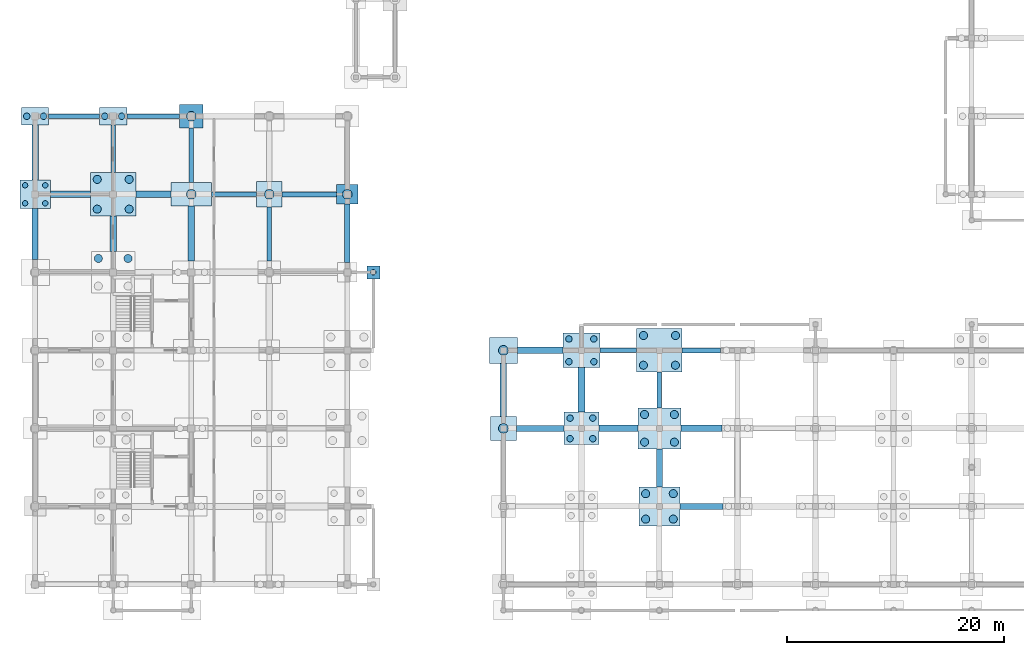
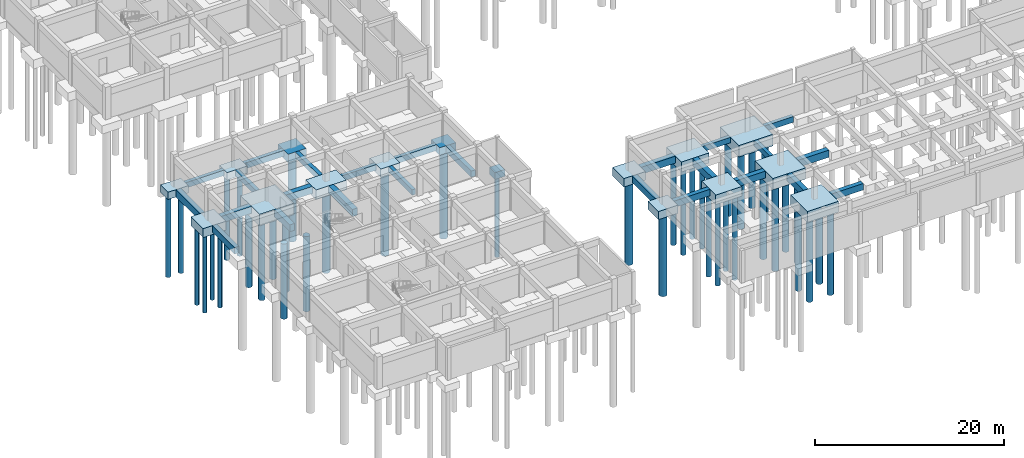
# One storey, part 3 of 38: 41 footings, 41 piles.
"""IFC4 building model written with IfcOpenShell, lengths in metres."""

from ifc_helpers import new_model, si_unit, direction, frame, origin, origin_2d, place, context, subcontext, project, spatial, polyline, rectangle, circle, outline, extrude, material, material_profile, profile_set, type_object, element, save


model = new_model("IFC4")

# Units and contexts
model_context = context("Model", 3, precision=1e-05, world=origin(), true_north=direction((0.0, 1.0)))
body_context = subcontext(model_context, "Body", "Model", "MODEL_VIEW")
ifc_project = project(units=[si_unit("LENGTHUNIT", "METRE"), si_unit("AREAUNIT", "SQUARE_METRE"), si_unit("VOLUMEUNIT", "CUBIC_METRE"), si_unit("PLANEANGLEUNIT", "RADIAN"), si_unit("MASSUNIT", "GRAM", prefix="KILO"), si_unit("THERMODYNAMICTEMPERATUREUNIT", "KELVIN"), si_unit("POWERUNIT", "WATT")], contexts=[model_context])

# Site, building, storey
site_placement = place(None, origin())
site = spatial("IfcSite", under=ifc_project, at=site_placement, CompositionType="ELEMENT")
building_placement = place(site_placement, origin())
building = spatial("IfcBuilding", under=site, at=building_placement, Name="Tavuni Mirador Residences", CompositionType="ELEMENT")
storey_placement = place(building_placement, frame((0.0, 0.0, -4.199951171875)))
storey = spatial("IfcBuildingStorey", under=building, at=storey_placement, Name="B1", CompositionType="ELEMENT", Elevation=-4.199951171875)

# Footings
ifc_material = material(Name="In-situ concrete C35/45", Category="concrete")
footing_type_1 = type_object("IfcFootingType", Name="FT-GB01", PredefinedType="FOOTING_BEAM", material=ifc_material)
footing_1_placement = place(storey_placement, frame((0.0, 0.0, -0.719970703125)))
element("IfcFooting", 1, at=footing_1_placement, inside=storey, type_object=footing_type_1, Name="GBX-BLK-A-00-06", PredefinedType="FOOTING_BEAM", context=body_context, shape_type="SweptSolid", body=[
    extrude(outline(polyline([(4.85009765625, 50.18994140625), (9.550048828125, 50.18994140625), (9.550048828125, 50.610107421875), (4.85009765625, 50.610107421875), (4.85009765625, 50.18994140625)])), origin(), (0.0, 0.0, 1.0), 0.719970703125),
])
footing_2_placement = place(storey_placement, frame((0.0, 0.0, -0.719970703125)))
element("IfcFooting", 2, at=footing_2_placement, inside=storey, type_object=footing_type_1, Name="GBY-BLK-A-01-05", PredefinedType="FOOTING_BEAM", context=body_context, shape_type="SweptSolid", body=[
    extrude(outline(polyline([(10.590087890625, 45.199951171875), (11.010009765625, 45.199951171875), (11.010009765625, 49.60009765625), (10.590087890625, 49.60009765625), (10.590087890625, 45.199951171875)])), origin(), (0.0, 0.0, 1.0), 0.719970703125),
])
footing_3_placement = place(storey_placement, frame((0.0, 0.0, -0.719970703125)))
element("IfcFooting", 3, at=footing_3_placement, inside=storey, type_object=footing_type_1, Name="GBX-BLK-A-02-05", PredefinedType="FOOTING_BEAM", context=body_context, shape_type="SweptSolid", body=[
    extrude(outline(polyline([(19.85009765625, 42.989990234375), (24.02490234375, 42.989990234375), (24.02490234375, 43.409912109375), (19.85009765625, 43.409912109375), (19.85009765625, 42.989990234375)])), origin(), (0.0, 0.0, 1.0), 0.719970703125),
])
footing_4_placement = place(storey_placement, frame((0.0, 0.0, -0.719970703125)))
element("IfcFooting", 4, at=footing_4_placement, inside=storey, type_object=footing_type_1, Name="GBY-BLK-A-03-04", PredefinedType="FOOTING_BEAM", context=body_context, shape_type="SweptSolid", body=[
    extrude(outline(polyline([(24.989990234375, 37.050048828125), (25.409912109375, 37.050048828125), (25.409912109375, 42.02490234375), (24.989990234375, 42.02490234375), (24.989990234375, 37.050048828125)])), origin(), (0.0, 0.0, 1.0), 0.719970703125),
])
footing_5_placement = place(storey_placement, frame((0.0, 0.0, -0.719970703125)))
element("IfcFooting", 5, at=footing_5_placement, inside=storey, type_object=footing_type_1, Name="GBX-PAV-SHOP-01-03", PredefinedType="FOOTING_BEAM", context=body_context, shape_type="SweptSolid", body=[
    extrude(outline(polyline([(55.699951171875, 28.590087890625), (59.10009765625, 28.590087890625), (59.10009765625, 29.010009765625), (55.699951171875, 29.010009765625), (55.699951171875, 28.590087890625)])), origin(), (0.0, 0.0, 1.0), 0.719970703125),
])
footing_6_placement = place(storey_placement, frame((0.0, 0.0, -0.719970703125)))
element("IfcFooting", 6, at=footing_6_placement, inside=storey, type_object=footing_type_1, Name="GBY-PAV-SHOP-02-02", PredefinedType="FOOTING_BEAM", context=body_context, shape_type="SweptSolid", body=[
    extrude(outline(polyline([(60.989990234375, 23.5), (61.409912109375, 23.5), (61.409912109375, 26.800048828125), (60.989990234375, 26.800048828125), (60.989990234375, 23.5)])), origin(), (0.0, 0.0, 1.0), 0.719970703125),
])
footing_type_2 = type_object("IfcFootingType", Name="FT-GB02", PredefinedType="FOOTING_BEAM", material=ifc_material)
footing_7_placement = place(storey_placement, frame((0.0, 0.0, -0.760009765625)))
element("IfcFooting", 7, at=footing_7_placement, inside=storey, type_object=footing_type_2, Name="GBX-BLK-A-01-06", PredefinedType="FOOTING_BEAM", context=body_context, shape_type="SweptSolid", body=[
    extrude(outline(polyline([(12.050048828125, 50.169921875), (16.89990234375, 50.169921875), (16.89990234375, 50.6298828125), (12.050048828125, 50.6298828125), (12.050048828125, 50.169921875)])), origin(), (0.0, 0.0, 1.0), 0.760009765625),
])
footing_8_placement = place(storey_placement, frame((0.0, 0.0, -0.760009765625)))
element("IfcFooting", 8, at=footing_8_placement, inside=storey, type_object=footing_type_2, Name="GBY-BLK-A-02-05", PredefinedType="FOOTING_BEAM", context=body_context, shape_type="SweptSolid", body=[
    extrude(outline(polyline([(17.77001953125, 44.300048828125), (18.22998046875, 44.300048828125), (18.22998046875, 49.300048828125), (17.77001953125, 49.300048828125), (17.77001953125, 44.300048828125)])), origin(), (0.0, 0.0, 1.0), 0.760009765625),
])
footing_9_placement = place(storey_placement, frame((0.0, 0.0, -0.760009765625)))
element("IfcFooting", 9, at=footing_9_placement, inside=storey, type_object=footing_type_2, Name="GBX-BLK-A-03-05", PredefinedType="FOOTING_BEAM", context=body_context, shape_type="SweptSolid", body=[
    extrude(outline(polyline([(26.375, 42.969970703125), (31.39990234375, 42.969970703125), (31.39990234375, 43.429931640625), (26.375, 43.429931640625), (26.375, 42.969970703125)])), origin(), (0.0, 0.0, 1.0), 0.760009765625),
])
footing_10_placement = place(storey_placement, frame((0.0, 0.0, -0.760009765625)))
element("IfcFooting", 10, at=footing_10_placement, inside=storey, type_object=footing_type_2, Name="GBX-PAV-SHOP-02-03", PredefinedType="FOOTING_BEAM", context=body_context, shape_type="SweptSolid", body=[
    extrude(outline(polyline([(63.300048828125, 28.570068359375), (66.85009765625, 28.570068359375), (66.85009765625, 29.030029296875), (63.300048828125, 29.030029296875), (63.300048828125, 28.570068359375)])), origin(), (0.0, 0.0, 1.0), 0.760009765625),
])
footing_type_3 = type_object("IfcFootingType", Name="FT-GB03", PredefinedType="FOOTING_BEAM", material=ifc_material)
footing_11_placement = place(storey_placement, frame((0.0, 0.0, -0.800048828125)))
element("IfcFooting", 11, at=footing_11_placement, inside=storey, type_object=footing_type_3, Name="GBY-BLK-A-04-04", PredefinedType="FOOTING_BEAM", context=body_context, shape_type="SweptSolid", body=[
    extrude(outline(polyline([(32.14990234375, 36.89990234375), (32.64990234375, 36.89990234375), (32.64990234375, 42.300048828125), (32.14990234375, 42.300048828125), (32.14990234375, 36.89990234375)])), origin(), (0.0, 0.0, 1.0), 0.800048828125),
])
footing_type_4 = type_object("IfcFootingType", Name="FT-GB04", PredefinedType="FOOTING_BEAM", material=ifc_material)
footing_12_placement = place(storey_placement, frame((0.0, 0.0, -0.840087890625)))
element("IfcFooting", 12, at=footing_12_placement, inside=storey, type_object=footing_type_4, Name="GBY-BLK-A-00-04", PredefinedType="FOOTING_BEAM", context=body_context, shape_type="SweptSolid", body=[
    extrude(outline(polyline([(3.330078125, 37.199951171875), (3.8701171875, 37.199951171875), (3.8701171875, 41.89990234375), (3.330078125, 41.89990234375), (3.330078125, 37.199951171875)])), origin(), (0.0, 0.0, 1.0), 0.840087890625),
])
footing_13_placement = place(storey_placement, frame((0.0, 0.0, -0.840087890625)))
element("IfcFooting", 13, at=footing_13_placement, inside=storey, type_object=footing_type_4, Name="GBX-PAV-SHOP-00-02", PredefinedType="FOOTING_BEAM", context=body_context, shape_type="SweptSolid", body=[
    extrude(outline(polyline([(48.0, 21.330078125), (52.39990234375, 21.330078125), (52.39990234375, 21.8701171875), (48.0, 21.8701171875), (48.0, 21.330078125)])), origin(), (0.0, 0.0, 1.0), 0.840087890625),
])
footing_14_placement = place(storey_placement, frame((0.0, 0.0, -0.840087890625)))
element("IfcFooting", 14, at=footing_14_placement, inside=storey, type_object=footing_type_4, Name="GBX-PAV-SHOP-02-01", PredefinedType="FOOTING_BEAM", context=body_context, shape_type="SweptSolid", body=[
    extrude(outline(polyline([(63.10009765625, 14.1298828125), (67.050048828125, 14.1298828125), (67.050048828125, 14.669921875), (63.10009765625, 14.669921875), (63.10009765625, 14.1298828125)])), origin(), (0.0, 0.0, 1.0), 0.840087890625),
])
footing_type_5 = type_object("IfcFootingType", Name="FT-GB05", PredefinedType="FOOTING_BEAM", material=ifc_material)
footing_15_placement = place(storey_placement, frame((0.0, 0.0, -0.880126953125)))
element("IfcFooting", 15, at=footing_15_placement, inside=storey, type_object=footing_type_5, Name="GBX-BLK-A-00-05", PredefinedType="FOOTING_BEAM", context=body_context, shape_type="SweptSolid", body=[
    extrude(outline(polyline([(5.0, 42.909912109375), (8.699951171875, 42.909912109375), (8.699951171875, 43.489990234375), (5.0, 43.489990234375), (5.0, 42.909912109375)])), origin(), (0.0, 0.0, 1.0), 0.880126953125),
])
footing_16_placement = place(storey_placement, frame((0.0, 0.0, -0.880126953125)))
element("IfcFooting", 16, at=footing_16_placement, inside=storey, type_object=footing_type_5, Name="GBY-BLK-A-01-04", PredefinedType="FOOTING_BEAM", context=body_context, shape_type="SweptSolid", body=[
    extrude(outline(polyline([(10.510009765625, 37.89990234375), (11.090087890625, 37.89990234375), (11.090087890625, 41.199951171875), (10.510009765625, 41.199951171875), (10.510009765625, 37.89990234375)])), origin(), (0.0, 0.0, 1.0), 0.880126953125),
])
footing_17_placement = place(storey_placement, frame((0.0, 0.0, -0.880126953125)))
element("IfcFooting", 17, at=footing_17_placement, inside=storey, type_object=footing_type_5, Name="GBY-PAV-SHOP-00-02", PredefinedType="FOOTING_BEAM", context=body_context, shape_type="SweptSolid", body=[
    extrude(outline(polyline([(46.510009765625, 22.699951171875), (47.090087890625, 22.699951171875), (47.090087890625, 27.60009765625), (46.510009765625, 27.60009765625), (46.510009765625, 22.699951171875)])), origin(), (0.0, 0.0, 1.0), 0.880126953125),
])
footing_18_placement = place(storey_placement, frame((0.0, 0.0, -0.880126953125)))
element("IfcFooting", 18, at=footing_18_placement, inside=storey, type_object=footing_type_5, Name="GBX-PAV-SHOP-01-02", PredefinedType="FOOTING_BEAM", context=body_context, shape_type="SweptSolid", body=[
    extrude(outline(polyline([(55.60009765625, 21.31005859375), (59.199951171875, 21.31005859375), (59.199951171875, 21.889892578125), (55.60009765625, 21.889892578125), (55.60009765625, 21.31005859375)])), origin(), (0.0, 0.0, 1.0), 0.880126953125),
])
footing_19_placement = place(storey_placement, frame((0.0, 0.0, -0.880126953125)))
element("IfcFooting", 19, at=footing_19_placement, inside=storey, type_object=footing_type_5, Name="GBY-PAV-SHOP-02-01", PredefinedType="FOOTING_BEAM", context=body_context, shape_type="SweptSolid", body=[
    extrude(outline(polyline([(60.909912109375, 16.199951171875), (61.489990234375, 16.199951171875), (61.489990234375, 19.699951171875), (60.909912109375, 19.699951171875), (60.909912109375, 16.199951171875)])), origin(), (0.0, 0.0, 1.0), 0.880126953125),
])
footing_type_6 = type_object("IfcFootingType", Name="FT-GB06", PredefinedType="FOOTING_BEAM", material=ifc_material)
footing_20_placement = place(storey_placement, frame((0.0, 0.0, -0.920166015625)))
element("IfcFooting", 20, at=footing_20_placement, inside=storey, type_object=footing_type_6, Name="GBY-BLK-A-00-05", PredefinedType="FOOTING_BEAM", context=body_context, shape_type="SweptSolid", body=[
    extrude(outline(polyline([(3.2900390625, 44.5), (3.909912109375, 44.5), (3.909912109375, 49.60009765625), (3.2900390625, 49.60009765625), (3.2900390625, 44.5)])), origin(), (0.0, 0.0, 1.0), 0.920166015625),
])
footing_21_placement = place(storey_placement, frame((0.0, 0.0, -0.920166015625)))
element("IfcFooting", 21, at=footing_21_placement, inside=storey, type_object=footing_type_6, Name="GBX-BLK-A-01-05", PredefinedType="FOOTING_BEAM", context=body_context, shape_type="SweptSolid", body=[
    extrude(outline(polyline([(12.89990234375, 42.889892578125), (16.14990234375, 42.889892578125), (16.14990234375, 43.510009765625), (12.89990234375, 43.510009765625), (12.89990234375, 42.889892578125)])), origin(), (0.0, 0.0, 1.0), 0.920166015625),
])
footing_22_placement = place(storey_placement, frame((0.0, 0.0, -0.920166015625)))
element("IfcFooting", 22, at=footing_22_placement, inside=storey, type_object=footing_type_6, Name="GBY-BLK-A-02-04", PredefinedType="FOOTING_BEAM", context=body_context, shape_type="SweptSolid", body=[
    extrude(outline(polyline([(17.68994140625, 37.050048828125), (18.31005859375, 37.050048828125), (18.31005859375, 42.10009765625), (17.68994140625, 42.10009765625), (17.68994140625, 37.050048828125)])), origin(), (0.0, 0.0, 1.0), 0.920166015625),
])
footing_23_placement = place(storey_placement, frame((0.0, 0.0, -0.920166015625)))
element("IfcFooting", 23, at=footing_23_placement, inside=storey, type_object=footing_type_6, Name="GBX-PAV-SHOP-00-03", PredefinedType="FOOTING_BEAM", context=body_context, shape_type="SweptSolid", body=[
    extrude(outline(polyline([(48.10009765625, 28.489990234375), (52.300048828125, 28.489990234375), (52.300048828125, 29.110107421875), (48.10009765625, 29.110107421875), (48.10009765625, 28.489990234375)])), origin(), (0.0, 0.0, 1.0), 0.920166015625),
])
footing_24_placement = place(storey_placement, frame((0.0, 0.0, -0.920166015625)))
element("IfcFooting", 24, at=footing_24_placement, inside=storey, type_object=footing_type_6, Name="GBY-PAV-SHOP-01-02", PredefinedType="FOOTING_BEAM", context=body_context, shape_type="SweptSolid", body=[
    extrude(outline(polyline([(53.68994140625, 23.10009765625), (54.31005859375, 23.10009765625), (54.31005859375, 27.199951171875), (53.68994140625, 27.199951171875), (53.68994140625, 23.10009765625)])), origin(), (0.0, 0.0, 1.0), 0.920166015625),
])
footing_25_placement = place(storey_placement, frame((0.0, 0.0, -0.920166015625)))
element("IfcFooting", 25, at=footing_25_placement, inside=storey, type_object=footing_type_6, Name="GBX-PAV-SHOP-02-02", PredefinedType="FOOTING_BEAM", context=body_context, shape_type="SweptSolid", body=[
    extrude(outline(polyline([(63.199951171875, 21.2900390625), (66.949951171875, 21.2900390625), (66.949951171875, 21.909912109375), (63.199951171875, 21.909912109375), (63.199951171875, 21.2900390625)])), origin(), (0.0, 0.0, 1.0), 0.920166015625),
])
footing_type_7 = type_object("IfcFootingType", Name="FT-PC01", PredefinedType="PILE_CAP", material=ifc_material)
footing_26_placement = place(storey_placement, frame((34.800048828125, 36.0, -0.89990234375), z_axis=(0.0, 0.0, 1.0), x_axis=(1.0, 0.0, 0.0)))
element("IfcFooting", 26, at=footing_26_placement, inside=storey, type_object=footing_type_7, Name="CAP-APR-BLKA-E2-2", PredefinedType="PILE_CAP", context=body_context, shape_type="SweptSolid", body=[
    extrude(rectangle(XDim=1.199951171875, YDim=1.199951171875, at=origin_2d()), origin(), (0.0, 0.0, 1.0), 0.89990234375),
])
footing_type_8 = type_object("IfcFootingType", Name="FT-PC02", PredefinedType="PILE_CAP", material=ifc_material)
footing_27_placement = place(storey_placement, frame((32.39990234375, 43.199951171875, -0.9501953125), z_axis=(0.0, 0.0, 1.0), x_axis=(1.0, 0.0, 0.0)))
element("IfcFooting", 27, at=footing_27_placement, inside=storey, type_object=footing_type_8, Name="CAP-BLK-A-04-05", PredefinedType="PILE_CAP", context=body_context, shape_type="SweptSolid", body=[
    extrude(rectangle(XDim=2.0, YDim=1.800048828125, at=origin_2d()), origin(), (0.0, 0.0, 1.0), 0.949951171875),
])
footing_type_9 = type_object("IfcFootingType", Name="FT-PC04", PredefinedType="PILE_CAP", material=ifc_material)
footing_28_placement = place(storey_placement, frame((46.800048828125, 21.60009765625, -1.05029296875), z_axis=(0.0, 0.0, 1.0), x_axis=(1.0, 0.0, 0.0)))
element("IfcFooting", 28, at=footing_28_placement, inside=storey, type_object=footing_type_9, Name="CAP-PAV-SHOP-00-02", PredefinedType="PILE_CAP", context=body_context, shape_type="SweptSolid", body=[
    extrude(rectangle(XDim=2.39990234375, YDim=2.199951171875, at=origin_2d()), origin(), (0.0, 0.0, 1.0), 1.050048828125),
])
footing_type_10 = type_object("IfcFootingType", Name="FT-PC05", PredefinedType="PILE_CAP", material=ifc_material)
footing_29_placement = place(storey_placement, frame((46.800048828125, 28.800048828125, -1.10009765625), z_axis=(0.0, 0.0, 1.0), x_axis=(1.0, 0.0, 0.0)))
element("IfcFooting", 29, at=footing_29_placement, inside=storey, type_object=footing_type_10, Name="CAP-PAV-SHOP-00-03", PredefinedType="PILE_CAP", context=body_context, shape_type="SweptSolid", body=[
    extrude(rectangle(XDim=2.60009765625, YDim=2.39990234375, at=origin_2d()), origin(), (0.0, 0.0, 1.0), 1.10009765625),
])
footing_type_11 = type_object("IfcFootingType", Name="FT-PC06", PredefinedType="PILE_CAP", material=ifc_material)
footing_30_placement = place(storey_placement, frame((3.60009765625, 43.199951171875, -1.14990234375), z_axis=(0.0, 0.0, 1.0), x_axis=(1.0, 0.0, 0.0)))
element("IfcFooting", 30, at=footing_30_placement, inside=storey, type_object=footing_type_11, Name="CAP-BLK-A-00-05", PredefinedType="PILE_CAP", context=body_context, shape_type="SweptSolid", body=[
    extrude(rectangle(XDim=2.800048828125, YDim=2.60009765625, at=origin_2d()), origin(), (0.0, 0.0, 1.0), 1.14990234375),
])
footing_type_12 = type_object("IfcFootingType", Name="FT-PC08", PredefinedType="PILE_CAP", material=ifc_material)
footing_31_placement = place(storey_placement, frame((54.0, 21.60009765625, -1.25), z_axis=(0.0, 0.0, 1.0), x_axis=(1.0, 0.0, 0.0)))
element("IfcFooting", 31, at=footing_31_placement, inside=storey, type_object=footing_type_12, Name="CAP-PAV-SHOP-01-02", PredefinedType="PILE_CAP", context=body_context, shape_type="SweptSolid", body=[
    extrude(rectangle(XDim=3.199951171875, YDim=3.0, at=origin_2d()), origin(), (0.0, 0.0, 1.0), 1.25),
])
footing_type_13 = type_object("IfcFootingType", Name="FT-PC09", PredefinedType="PILE_CAP", material=ifc_material)
footing_32_placement = place(storey_placement, frame((54.0, 28.800048828125, -1.30029296875), z_axis=(0.0, 0.0, 1.0), x_axis=(1.0, 0.0, 0.0)))
element("IfcFooting", 32, at=footing_32_placement, inside=storey, type_object=footing_type_13, Name="CAP-PAV-SHOP-01-03", PredefinedType="PILE_CAP", context=body_context, shape_type="SweptSolid", body=[
    extrude(rectangle(XDim=3.39990234375, YDim=3.199951171875, at=origin_2d()), origin(), (0.0, 0.0, 1.0), 1.300048828125),
])
footing_type_14 = type_object("IfcFootingType", Name="FT-PC11", PredefinedType="PILE_CAP", material=ifc_material)
footing_33_placement = place(storey_placement, frame((61.199951171875, 14.39990234375, -1.39990234375), z_axis=(0.0, 0.0, 1.0), x_axis=(1.0, 0.0, 0.0)))
element("IfcFooting", 33, at=footing_33_placement, inside=storey, type_object=footing_type_14, Name="CAP-PAV-SHOP-02-01", PredefinedType="PILE_CAP", context=body_context, shape_type="SweptSolid", body=[
    extrude(rectangle(XDim=3.800048828125, YDim=3.60009765625, at=origin_2d()), origin(), (0.0, 0.0, 1.0), 1.39990234375),
])
footing_type_15 = type_object("IfcFootingType", Name="FT-PC12", PredefinedType="PILE_CAP", material=ifc_material)
footing_34_placement = place(storey_placement, frame((61.199951171875, 21.60009765625, -1.4501953125), z_axis=(0.0, 0.0, 1.0), x_axis=(1.0, 0.0, 0.0)))
element("IfcFooting", 34, at=footing_34_placement, inside=storey, type_object=footing_type_15, Name="CAP-PAV-SHOP-02-02", PredefinedType="PILE_CAP", context=body_context, shape_type="SweptSolid", body=[
    extrude(rectangle(XDim=4.0, YDim=3.800048828125, at=origin_2d()), origin(), (0.0, 0.0, 1.0), 1.449951171875),
])
footing_type_16 = type_object("IfcFootingType", Name="FT-PC13", PredefinedType="PILE_CAP", material=ifc_material)
for number, where, z_axis, x_axis, name in (
    (35, (10.800048828125, 43.199951171875, -1.5), (0.0, 0.0, 1.0), (1.0, 0.0, 0.0), "CAP-BLK-A-01-05"),
    (36, (61.199951171875, 28.800048828125, -1.5), (0.0, 0.0, 1.0), (1.0, 0.0, 0.0), "CAP-PAV-SHOP-02-03"),
):
    element("IfcFooting", number, at=place(storey_placement, frame(where, z_axis=z_axis, x_axis=x_axis)), inside=storey, type_object=footing_type_16, Name=name, PredefinedType="PILE_CAP", context=body_context, shape_type="SweptSolid", body=[
        extrude(rectangle(XDim=4.199951171875, YDim=4.0, at=origin_2d()), origin(), (0.0, 0.0, 1.0), 1.5),
    ])
footing_type_17 = type_object("IfcFootingType", Name="FT-PC14", PredefinedType="PILE_CAP", material=ifc_material)
for number, where, z_axis, x_axis, name in (
    (37, (3.60009765625, 50.39990234375, -0.9501953125), (0.0, 0.0, 1.0), (1.0, 0.0, 0.0), "CAP-BLK-A-00-06"),
    (38, (10.800048828125, 50.39990234375, -0.9501953125), (0.0, 0.0, 1.0), (1.0, 0.0, 0.0), "CAP-BLK-A-01-06"),
):
    element("IfcFooting", number, at=place(storey_placement, frame(where, z_axis=z_axis, x_axis=x_axis)), inside=storey, type_object=footing_type_17, Name=name, PredefinedType="PILE_CAP", context=body_context, shape_type="SweptSolid", body=[
        extrude(rectangle(XDim=2.5, YDim=1.60009765625, at=origin_2d()), origin(), (0.0, 0.0, 1.0), 0.949951171875),
    ])
footing_type_18 = type_object("IfcFootingType", Name="FT-PC20", PredefinedType="PILE_CAP", material=ifc_material)
footing_35_placement = place(storey_placement, frame((18.0, 43.199951171875, -1.25), z_axis=(0.0, 0.0, 1.0), x_axis=(1.0, 0.0, 0.0)))
element("IfcFooting", 39, at=footing_35_placement, inside=storey, type_object=footing_type_18, Name="CAP-BLK-A-02-05", PredefinedType="PILE_CAP", context=body_context, shape_type="SweptSolid", body=[
    extrude(rectangle(XDim=3.699951171875, YDim=2.199951171875, at=origin_2d()), origin(), (0.0, 0.0, 1.0), 1.25),
])
footing_type_19 = type_object("IfcFootingType", Name="FT-PC21", PredefinedType="PILE_CAP", material=ifc_material)
footing_36_placement = place(storey_placement, frame((18.0, 50.39990234375, -1.10009765625), z_axis=(0.0, 0.0, 1.0), x_axis=(1.0, 0.0, 0.0)))
element("IfcFooting", 40, at=footing_36_placement, inside=storey, type_object=footing_type_19, Name="CAP-BLK-A-02-06", PredefinedType="PILE_CAP", context=body_context, shape_type="SweptSolid", body=[
    extrude(rectangle(XDim=2.199951171875, YDim=2.199951171875, at=origin_2d()), origin(), (0.0, 0.0, 1.0), 1.10009765625),
])
footing_type_20 = type_object("IfcFootingType", Name="FT-PC27", PredefinedType="PILE_CAP", material=ifc_material)
footing_37_placement = place(storey_placement, frame((25.199951171875, 43.199951171875, -1.06005859375), z_axis=(0.0, 0.0, 1.0), x_axis=(1.0, 0.0, 0.0)))
element("IfcFooting", 41, at=footing_37_placement, inside=storey, type_object=footing_type_20, Name="CAP-BLK-A-03-05", PredefinedType="PILE_CAP", context=body_context, shape_type="SweptSolid", body=[
    extrude(rectangle(XDim=2.35009765625, YDim=2.35009765625, at=origin_2d()), origin(), (0.0, 0.0, 1.0), 1.06005859375),
])

# Piles
ifc_material_profile_1 = material_profile(ifc_material, circle(Radius=0.25, at=origin_2d()), Name="PILE D500", Category="concrete")
ifc_profile_set_1 = profile_set([ifc_material_profile_1], Name="In-situ concrete C35/45")
pile_type_1 = type_object("IfcPileType", Name="PT-D500", PredefinedType="BORED", material=ifc_profile_set_1)
for number, where, z_axis, x_axis, name in (
    (42, (2.669921875, 42.3701171875, -1.150146484375), (0.0, 0.0, -1.0), (1.0, 0.0, 0.0), "PIL-BLK-A-00-05-1"),
    (43, (4.530029296875, 42.3701171875, -1.150146484375), (0.0, 0.0, -1.0), (1.0, 0.0, 0.0), "PIL-BLK-A-00-05-2"),
    (44, (2.669921875, 44.030029296875, -1.150146484375), (0.0, 0.0, -1.0), (1.0, 0.0, 0.0), "PIL-BLK-A-00-05-3"),
    (45, (4.530029296875, 44.030029296875, -1.150146484375), (0.0, 0.0, -1.0), (1.0, 0.0, 0.0), "PIL-BLK-A-00-05-4"),
):
    element("IfcPile", number, at=place(storey_placement, frame(where, z_axis=z_axis, x_axis=x_axis)), inside=storey, type_object=pile_type_1, Name=name, PredefinedType="BORED", context=body_context, shape_type="SweptSolid", body=[
        extrude(circle(Radius=0.25, at=origin_2d()), origin(), (0.0, 0.0, 1.0), 10.050048828125),
    ])
pile_1_placement = place(storey_placement, frame((34.800048828125, 36.0, -0.800048828125), z_axis=(0.0, 0.0, -1.0), x_axis=(1.0, 0.0, 0.0)))
element("IfcPile", 46, at=pile_1_placement, inside=storey, type_object=pile_type_1, Name="PIL-APR-BLKA-E2-2", PredefinedType="BORED", context=body_context, shape_type="SweptSolid", body=[
    extrude(circle(Radius=0.25, at=origin_2d()), origin(), (0.0, 0.0, 1.0), 10.60009765625),
])
ifc_material_profile_2 = material_profile(ifc_material, circle(Radius=0.300048828125, at=origin_2d()), Name="PILE D600", Category="concrete")
ifc_profile_set_2 = profile_set([ifc_material_profile_2], Name="In-situ concrete C35/45")
pile_type_2 = type_object("IfcPileType", Name="PT-D600", PredefinedType="BORED", material=ifc_profile_set_2)
for number, where, z_axis, x_axis, name in (
    (47, (2.820068359375, 50.39990234375, -0.949951171875), (0.0, 0.0, -1.0), (1.0, 0.0, 0.0), "PIL-BLK-A-00-06-1"),
    (48, (4.3798828125, 50.39990234375, -0.949951171875), (0.0, 0.0, -1.0), (1.0, 0.0, 0.0), "PIL-BLK-A-00-06-2"),
):
    element("IfcPile", number, at=place(storey_placement, frame(where, z_axis=z_axis, x_axis=x_axis)), inside=storey, type_object=pile_type_2, Name=name, PredefinedType="BORED", context=body_context, shape_type="SweptSolid", body=[
        extrude(circle(Radius=0.300048828125, at=origin_2d()), origin(), (0.0, 0.0, 1.0), 10.550048828125),
    ])
for number, where, z_axis, x_axis, name in (
    (49, (10.02001953125, 50.39990234375, -0.949951171875), (0.0, 0.0, -1.0), (1.0, 0.0, 0.0), "PIL-BLK-A-01-06-1"),
    (50, (11.580078125, 50.39990234375, -0.949951171875), (0.0, 0.0, -1.0), (1.0, 0.0, 0.0), "PIL-BLK-A-01-06-2"),
    (51, (52.949951171875, 20.64990234375, -1.25), (0.0, 0.0, -1.0), (1.0, 0.0, 0.0), "PIL-PAV-SHOP-01-02-1"),
    (52, (55.050048828125, 20.64990234375, -1.25), (0.0, 0.0, -1.0), (1.0, 0.0, 0.0), "PIL-PAV-SHOP-01-02-2"),
    (53, (52.949951171875, 22.550048828125, -1.25), (0.0, 0.0, -1.0), (1.0, 0.0, 0.0), "PIL-PAV-SHOP-01-02-3"),
    (54, (55.050048828125, 22.550048828125, -1.25), (0.0, 0.0, -1.0), (1.0, 0.0, 0.0), "PIL-PAV-SHOP-01-02-4"),
):
    element("IfcPile", number, at=place(storey_placement, frame(where, z_axis=z_axis, x_axis=x_axis)), inside=storey, type_object=pile_type_2, Name=name, PredefinedType="BORED", context=body_context, shape_type="SweptSolid", body=[
        extrude(circle(Radius=0.300048828125, at=origin_2d()), origin(), (0.0, 0.0, 1.0), 10.85009765625),
    ])
for number, where, z_axis, x_axis, name in (
    (55, (52.85009765625, 27.75, -1.300048828125), (0.0, 0.0, -1.0), (1.0, 0.0, 0.0), "PIL-PAV-SHOP-01-03-1"),
    (56, (55.14990234375, 27.75, -1.300048828125), (0.0, 0.0, -1.0), (1.0, 0.0, 0.0), "PIL-PAV-SHOP-01-03-2"),
    (57, (52.85009765625, 29.85009765625, -1.300048828125), (0.0, 0.0, -1.0), (1.0, 0.0, 0.0), "PIL-PAV-SHOP-01-03-3"),
    (58, (55.14990234375, 29.85009765625, -1.300048828125), (0.0, 0.0, -1.0), (1.0, 0.0, 0.0), "PIL-PAV-SHOP-01-03-4"),
):
    element("IfcPile", number, at=place(storey_placement, frame(where, z_axis=z_axis, x_axis=x_axis)), inside=storey, type_object=pile_type_2, Name=name, PredefinedType="BORED", context=body_context, shape_type="SweptSolid", body=[
        extrude(circle(Radius=0.300048828125, at=origin_2d()), origin(), (0.0, 0.0, 1.0), 11.10009765625),
    ])
ifc_material_profile_3 = material_profile(ifc_material, circle(Radius=0.375, at=origin_2d()), Name="PILE D750", Category="concrete")
ifc_profile_set_3 = profile_set([ifc_material_profile_3], Name="In-situ concrete C35/45")
pile_type_3 = type_object("IfcPileType", Name="PT-D750", PredefinedType="BORED", material=ifc_profile_set_3)
for number, where, z_axis, x_axis, name in (
    (59, (9.425048828125, 37.27490234375, -1.449951171875), (0.0, 0.0, -1.0), (1.0, 0.0, 0.0), "PIL-BLK-A-01-04-3"),
    (60, (12.175048828125, 37.27490234375, -1.449951171875), (0.0, 0.0, -1.0), (1.0, 0.0, 0.0), "PIL-BLK-A-01-04-4"),
):
    element("IfcPile", number, at=place(storey_placement, frame(where, z_axis=z_axis, x_axis=x_axis)), inside=storey, type_object=pile_type_3, Name=name, PredefinedType="BORED", context=body_context, shape_type="SweptSolid", body=[
        extrude(circle(Radius=0.375, at=origin_2d()), origin(), (0.0, 0.0, 1.0), 9.75),
    ])
for number, where, z_axis, x_axis, name in (
    (61, (9.324951171875, 41.824951171875, -1.5), (0.0, 0.0, -1.0), (1.0, 0.0, 0.0), "PIL-BLK-A-01-05-1"),
    (62, (12.27490234375, 41.824951171875, -1.5), (0.0, 0.0, -1.0), (1.0, 0.0, 0.0), "PIL-BLK-A-01-05-2"),
    (63, (9.324951171875, 44.574951171875, -1.5), (0.0, 0.0, -1.0), (1.0, 0.0, 0.0), "PIL-BLK-A-01-05-3"),
    (64, (12.27490234375, 44.574951171875, -1.5), (0.0, 0.0, -1.0), (1.0, 0.0, 0.0), "PIL-BLK-A-01-05-4"),
):
    element("IfcPile", number, at=place(storey_placement, frame(where, z_axis=z_axis, x_axis=x_axis)), inside=storey, type_object=pile_type_3, Name=name, PredefinedType="BORED", context=body_context, shape_type="SweptSolid", body=[
        extrude(circle(Radius=0.375, at=origin_2d()), origin(), (0.0, 0.0, 1.0), 10.0),
    ])
for number, where, z_axis, x_axis, name in (
    (65, (59.925048828125, 13.22509765625, -1.400146484375), (0.0, 0.0, -1.0), (1.0, 0.0, 0.0), "PIL-PAV-SHOP-02-01-1"),
    (66, (62.47509765625, 13.22509765625, -1.400146484375), (0.0, 0.0, -1.0), (1.0, 0.0, 0.0), "PIL-PAV-SHOP-02-01-2"),
    (67, (59.925048828125, 15.574951171875, -1.400146484375), (0.0, 0.0, -1.0), (1.0, 0.0, 0.0), "PIL-PAV-SHOP-02-01-3"),
    (68, (62.47509765625, 15.574951171875, -1.400146484375), (0.0, 0.0, -1.0), (1.0, 0.0, 0.0), "PIL-PAV-SHOP-02-01-4"),
):
    element("IfcPile", number, at=place(storey_placement, frame(where, z_axis=z_axis, x_axis=x_axis)), inside=storey, type_object=pile_type_3, Name=name, PredefinedType="BORED", context=body_context, shape_type="SweptSolid", body=[
        extrude(circle(Radius=0.375, at=origin_2d()), origin(), (0.0, 0.0, 1.0), 10.699951171875),
    ])
for number, where, z_axis, x_axis, name in (
    (69, (59.824951171875, 20.324951171875, -1.449951171875), (0.0, 0.0, -1.0), (1.0, 0.0, 0.0), "PIL-PAV-SHOP-02-02-1"),
    (70, (62.574951171875, 20.324951171875, -1.449951171875), (0.0, 0.0, -1.0), (1.0, 0.0, 0.0), "PIL-PAV-SHOP-02-02-2"),
    (71, (59.824951171875, 22.875, -1.449951171875), (0.0, 0.0, -1.0), (1.0, 0.0, 0.0), "PIL-PAV-SHOP-02-02-3"),
    (72, (62.574951171875, 22.875, -1.449951171875), (0.0, 0.0, -1.0), (1.0, 0.0, 0.0), "PIL-PAV-SHOP-02-02-4"),
):
    element("IfcPile", number, at=place(storey_placement, frame(where, z_axis=z_axis, x_axis=x_axis)), inside=storey, type_object=pile_type_3, Name=name, PredefinedType="BORED", context=body_context, shape_type="SweptSolid", body=[
        extrude(circle(Radius=0.375, at=origin_2d()), origin(), (0.0, 0.0, 1.0), 10.949951171875),
    ])
for number, where, z_axis, x_axis, name in (
    (73, (59.72509765625, 27.425048828125, -1.5), (0.0, 0.0, -1.0), (1.0, 0.0, 0.0), "PIL-PAV-SHOP-02-03-1"),
    (74, (62.675048828125, 27.425048828125, -1.5), (0.0, 0.0, -1.0), (1.0, 0.0, 0.0), "PIL-PAV-SHOP-02-03-2"),
    (75, (59.72509765625, 30.175048828125, -1.5), (0.0, 0.0, -1.0), (1.0, 0.0, 0.0), "PIL-PAV-SHOP-02-03-3"),
    (76, (62.675048828125, 30.175048828125, -1.5), (0.0, 0.0, -1.0), (1.0, 0.0, 0.0), "PIL-PAV-SHOP-02-03-4"),
):
    element("IfcPile", number, at=place(storey_placement, frame(where, z_axis=z_axis, x_axis=x_axis)), inside=storey, type_object=pile_type_3, Name=name, PredefinedType="BORED", context=body_context, shape_type="SweptSolid", body=[
        extrude(circle(Radius=0.375, at=origin_2d()), origin(), (0.0, 0.0, 1.0), 9.699951171875),
    ])
ifc_material_profile_4 = material_profile(ifc_material, circle(Radius=0.449951171875, at=origin_2d()), Name="PILE D900", Category="concrete")
ifc_profile_set_4 = profile_set([ifc_material_profile_4], Name="In-situ concrete C35/45")
pile_type_4 = type_object("IfcPileType", Name="PT-D900", PredefinedType="BORED", material=ifc_profile_set_4)
pile_2_placement = place(storey_placement, frame((18.0, 43.199951171875, -1.25), z_axis=(0.0, 0.0, -1.0), x_axis=(1.0, 0.0, 0.0)))
element("IfcPile", 77, at=pile_2_placement, inside=storey, type_object=pile_type_4, Name="PIL-BLK-A-02-05-1", PredefinedType="BORED", context=body_context, shape_type="SweptSolid", body=[
    extrude(circle(Radius=0.449951171875, at=origin_2d()), origin(), (0.0, 0.0, 1.0), 10.550048828125),
])
pile_3_placement = place(storey_placement, frame((18.0, 50.39990234375, -1.10009765625), z_axis=(0.0, 0.0, -1.0), x_axis=(1.0, 0.0, 0.0)))
element("IfcPile", 78, at=pile_3_placement, inside=storey, type_object=pile_type_4, Name="PIL-BLK-A-02-06-1", PredefinedType="BORED", context=body_context, shape_type="SweptSolid", body=[
    extrude(circle(Radius=0.449951171875, at=origin_2d()), origin(), (0.0, 0.0, 1.0), 11.0),
])
pile_4_placement = place(storey_placement, frame((25.199951171875, 43.199951171875, -1.06005859375), z_axis=(0.0, 0.0, -1.0), x_axis=(1.0, 0.0, 0.0)))
element("IfcPile", 79, at=pile_4_placement, inside=storey, type_object=pile_type_4, Name="PIL-BLK-A-03-05-1", PredefinedType="BORED", context=body_context, shape_type="SweptSolid", body=[
    extrude(circle(Radius=0.449951171875, at=origin_2d()), origin(), (0.0, 0.0, 1.0), 11.0400390625),
])
pile_5_placement = place(storey_placement, frame((32.39990234375, 43.199951171875, -0.949951171875), z_axis=(0.0, 0.0, -1.0), x_axis=(1.0, 0.0, 0.0)))
element("IfcPile", 80, at=pile_5_placement, inside=storey, type_object=pile_type_4, Name="PIL-BLK-A-04-05-1", PredefinedType="BORED", context=body_context, shape_type="SweptSolid", body=[
    extrude(circle(Radius=0.449951171875, at=origin_2d()), origin(), (0.0, 0.0, 1.0), 11.449951171875),
])
pile_6_placement = place(storey_placement, frame((46.800048828125, 21.60009765625, -1.050048828125), z_axis=(0.0, 0.0, -1.0), x_axis=(1.0, 0.0, 0.0)))
element("IfcPile", 81, at=pile_6_placement, inside=storey, type_object=pile_type_4, Name="PIL-PAV-SHOP-00-02-1", PredefinedType="BORED", context=body_context, shape_type="SweptSolid", body=[
    extrude(circle(Radius=0.449951171875, at=origin_2d()), origin(), (0.0, 0.0, 1.0), 10.75),
])
pile_7_placement = place(storey_placement, frame((46.800048828125, 28.800048828125, -1.10009765625), z_axis=(0.0, 0.0, -1.0), x_axis=(1.0, 0.0, 0.0)))
element("IfcPile", 82, at=pile_7_placement, inside=storey, type_object=pile_type_4, Name="PIL-PAV-SHOP-00-03-1", PredefinedType="BORED", context=body_context, shape_type="SweptSolid", body=[
    extrude(circle(Radius=0.449951171875, at=origin_2d()), origin(), (0.0, 0.0, 1.0), 11.0),
])

save(model, "model.ifc")
